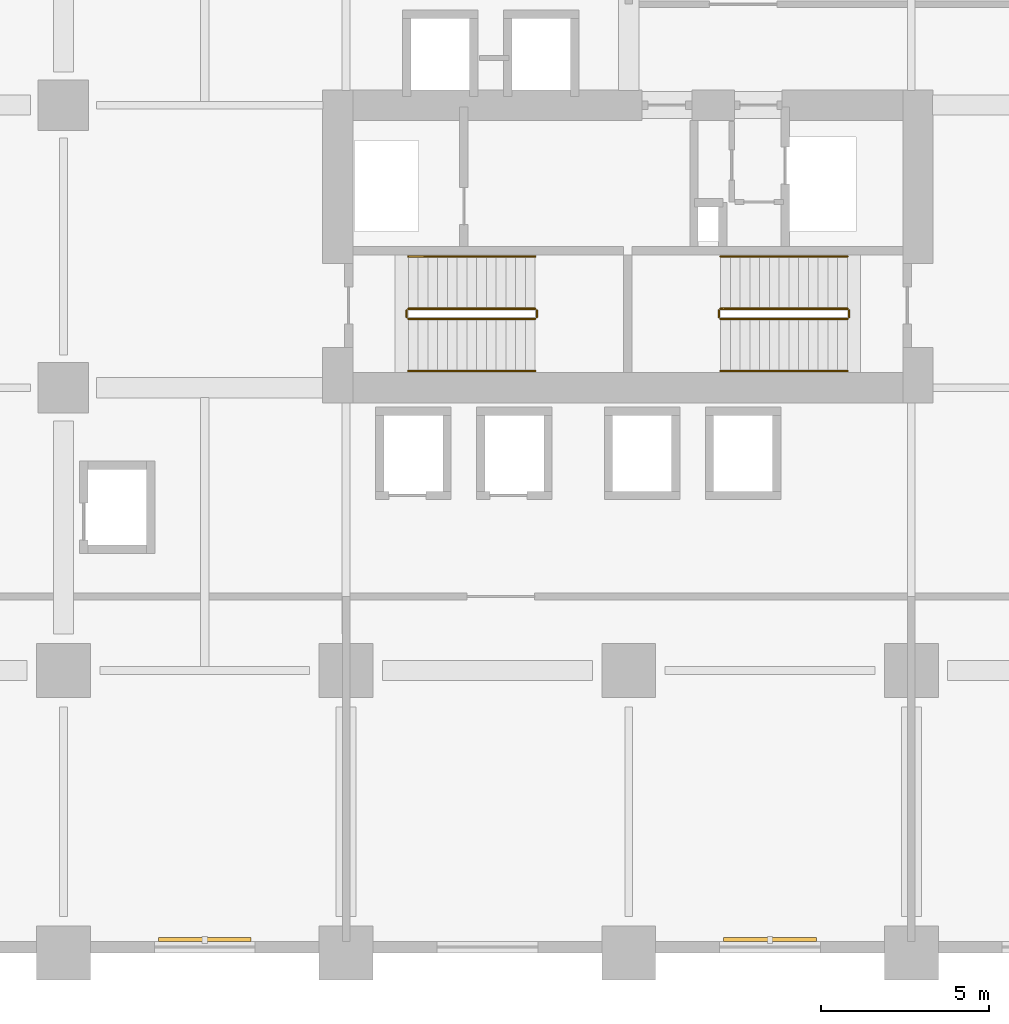
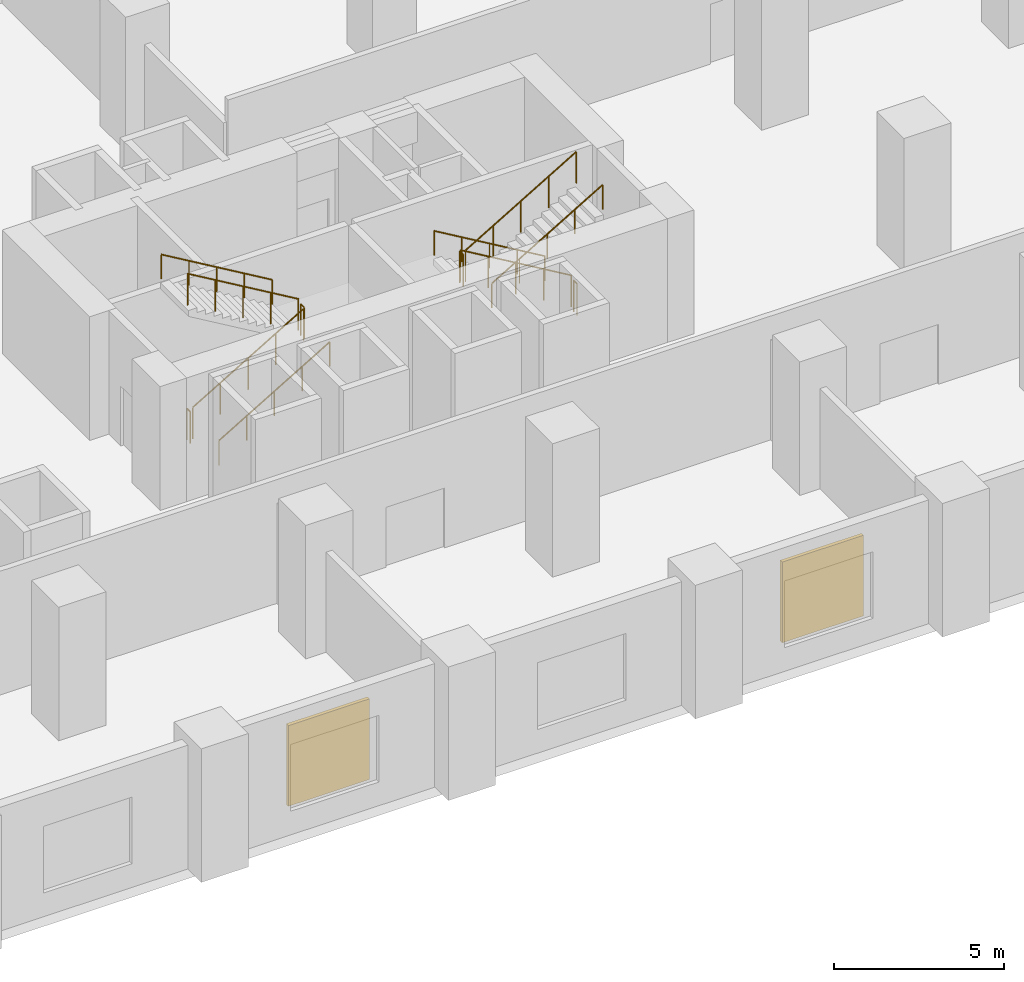
# One storey, part 20 of 22: 12 railings, 2 shading devices.
"""IFC4 building model written with IfcOpenShell, lengths in metres."""

import ifcopenshell
import ifcopenshell.guid

model = None  # the IFC model being written
_history = None  # IfcOwnerHistory: only IFC2X3 demands one
_inside = {}  # id of a spatial element -> (the spatial element, [elements in it])
_under = {}  # id of a project, library or spatial element -> (it, [spatial elements below it])
_declared = {}  # id of a project -> (the project, [libraries it declares])
_typed = {}  # id of a type object -> (the type object, [elements of that type])
_made_of = {}  # id of a material, layer set ... -> (it, [elements and type objects made of it])


def new_model(schema):
    """Start an empty IFC model of exactly this schema.

    Asked for "IFC4X3", IfcOpenShell would pick the latest addendum, in which some entities
    have other attributes; the version numbers below select the first issue.
    IFC2X3 requires an IfcOwnerHistory on every rooted entity: one is made here for all.
    """
    global model, _history
    if schema == "IFC4X3":
        model = ifcopenshell.file(schema_version=(4, 3, 0, 0))
    else:
        model = ifcopenshell.file(schema=schema)
    _inside.clear()
    _under.clear()
    _declared.clear()
    _typed.clear()
    _made_of.clear()
    _history = None
    if model.schema == "IFC2X3":
        org = make("IfcOrganization", Name="unknown")
        user = make(
            "IfcPersonAndOrganization",
            ThePerson=make("IfcPerson", FamilyName="unknown"),
            TheOrganization=org,
        )
        app = make(
            "IfcApplication",
            ApplicationDeveloper=org,
            Version="unknown",
            ApplicationFullName="unknown",
            ApplicationIdentifier="unknown",
        )
        _history = make(
            "IfcOwnerHistory",
            OwningUser=user,
            OwningApplication=app,
            ChangeAction="ADDED",
            CreationDate=0,
        )
    return model


def make(cls, **values):
    """One entity of the class cls with the attributes given. An attribute that is None is left unset."""
    return model.create_entity(
        cls, **{name: value for name, value in values.items() if value is not None}
    )


def rooted(cls, **values):
    """An entity with a GlobalId (a new one), such as an element, a storey or a relation."""
    return make(cls, GlobalId=ifcopenshell.guid.new(), OwnerHistory=_history, **values)


def si_unit(unit_type, name, prefix=None):
    """IfcSIUnit, for example si_unit("LENGTHUNIT", "METRE", prefix="MILLI")."""
    return make("IfcSIUnit", UnitType=unit_type, Prefix=prefix, Name=name)


def assignment(units):
    """IfcUnitAssignment: the units of a project."""
    return None if units is None else make("IfcUnitAssignment", Units=units)


def point(xyz):
    """IfcCartesianPoint."""
    return None if xyz is None else make("IfcCartesianPoint", Coordinates=xyz)


def direction(xyz):
    """IfcDirection."""
    return None if xyz is None else make("IfcDirection", DirectionRatios=xyz)


def frame(location, z_axis=None, x_axis=None):
    """IfcAxis2Placement3D, a coordinate frame: its origin and axes. An axis left out is left unset."""
    return make(
        "IfcAxis2Placement3D",
        Location=point(location),
        Axis=direction(z_axis),
        RefDirection=direction(x_axis),
    )


def frame_2d(location, x_axis=None):
    """IfcAxis2Placement2D, a coordinate frame in the plane: its origin and x axis."""
    return make(
        "IfcAxis2Placement2D", Location=point(location), RefDirection=direction(x_axis)
    )


def origin():
    """The frame at (0, 0, 0) with its axes left unset."""
    return frame((0.0, 0.0, 0.0))


def origin_2d():
    """The frame at (0, 0) in the plane with its x axis left unset."""
    return frame_2d((0.0, 0.0))


def place(relative_to, where):
    """IfcLocalPlacement: puts the frame where relative to a parent placement (None: the world)."""
    return make(
        "IfcLocalPlacement", PlacementRelTo=relative_to, RelativePlacement=where
    )


def context(
    kind, dimensions, precision=None, world=None, true_north=None, identifier=None
):
    """IfcGeometricRepresentationContext, for example the 3D "Model" context."""
    return make(
        "IfcGeometricRepresentationContext",
        ContextIdentifier=identifier,
        ContextType=kind,
        CoordinateSpaceDimension=dimensions,
        Precision=precision,
        WorldCoordinateSystem=world,
        TrueNorth=true_north,
    )


def subcontext(parent, identifier, kind, view, scale=None):
    """IfcGeometricRepresentationSubContext, for example "Body" below "Model"."""
    return make(
        "IfcGeometricRepresentationSubContext",
        ContextIdentifier=identifier,
        ContextType=kind,
        ParentContext=parent,
        TargetScale=scale,
        TargetView=view,
    )


def project(units=None, contexts=None):
    """IfcProject with its units and contexts."""
    return rooted(
        "IfcProject",
        Name="project",
        RepresentationContexts=contexts,
        UnitsInContext=assignment(units),
    )


def spatial(cls, under=None, at=None, **own):
    """A site, building, storey or space (cls), placed at a placement, below another one or the project."""
    s = rooted(cls, ObjectPlacement=at, **own)
    if under is not None:
        _under.setdefault(under.id(), (under, []))[1].append(s)
    return s


def profile(cls, at=None, kind="AREA", **sizes):
    """A parametric profile (cls). Its sizes go by their IFC names, for example OverallWidth=200.0."""
    return make(cls, ProfileType=kind, Position=at, **sizes)


def rectangle(**sizes):
    """IfcRectangleProfileDef."""
    return profile("IfcRectangleProfileDef", **sizes)


def circle(**sizes):
    """IfcCircleProfileDef."""
    return profile("IfcCircleProfileDef", **sizes)


def extrude(swept, where, along, depth):
    """IfcExtrudedAreaSolid: the profile swept, set in the frame where, extruded along a direction by depth."""
    return make(
        "IfcExtrudedAreaSolid",
        SweptArea=swept,
        Position=where,
        ExtrudedDirection=direction(along),
        Depth=depth,
    )


def shape(context_of_items, identifier, shape_type, items):
    """IfcShapeRepresentation: the items that make up one representation, for example the "Body"."""
    return make(
        "IfcShapeRepresentation",
        ContextOfItems=context_of_items,
        RepresentationIdentifier=identifier,
        RepresentationType=shape_type,
        Items=items,
    )


def material(Name=None, Category=None):
    """IfcMaterial."""
    return make("IfcMaterial", Name=Name, Category=Category)


def layer(
    of_material, thickness, ventilated=None, Name=None, Category=None, Priority=None
):
    """IfcMaterialLayer: one layer of a wall or slab, of a material (None: an air gap)."""
    return make(
        "IfcMaterialLayer",
        Material=of_material,
        LayerThickness=thickness,
        IsVentilated=ventilated,
        Name=Name,
        Category=Category,
        Priority=Priority,
    )


def layer_set(layers, Name=None):
    """IfcMaterialLayerSet."""
    return make("IfcMaterialLayerSet", MaterialLayers=layers, LayerSetName=Name)


def made_of(thing, what):
    """Note that an element or type object is made of a material, layer set ...; save() writes the relation."""
    if what is not None:
        _made_of.setdefault(what.id(), (what, []))[1].append(thing)
    return thing


def type_object(cls, material=None, **own):
    """A type object (cls), such as IfcWallType, which elements share."""
    return made_of(rooted(cls, **own), material)


def element(
    cls,
    number,
    at=None,
    inside=None,
    cuts=None,
    type_object=None,
    material=None,
    context=None,
    identifier="Body",
    shape_type=None,
    held_by="IfcProductDefinitionShape",
    body=None,
    shapes=None,
    **own,
):
    """One element of the class cls, such as IfcWall. Its Tag is "e" and its number.

    at: its placement. inside: the storey or other place that contains it. cuts: it is an
    opening in that element (IfcRelVoidsElement). A single representation is given by context,
    identifier, shape_type and body (its items); several are given by shapes. held_by: the class
    of the entity that holds the representations. save() writes the other relations.
    """
    e = rooted(cls, Tag="e%d" % number, ObjectPlacement=at, **own)
    if body is not None:
        shapes = [shape(context, identifier, shape_type, body)]
    if shapes is not None:
        e.Representation = make(held_by, Representations=shapes)
    if inside is not None:
        _inside.setdefault(inside.id(), (inside, []))[1].append(e)
    if cuts is not None:
        rooted(
            "IfcRelVoidsElement", RelatingBuildingElement=cuts, RelatedOpeningElement=e
        )
    if type_object is not None:
        _typed.setdefault(type_object.id(), (type_object, []))[1].append(e)
    return made_of(e, material)


def aggregate(whole, parts):
    """IfcRelAggregates: a whole, such as a stair, and the parts it consists of."""
    return rooted("IfcRelAggregates", RelatingObject=whole, RelatedObjects=parts)


def save(model, path):
    """Write the relations noted so far, then the file.

    IfcRelAggregates (storeys below a building ...), IfcRelContainedInSpatialStructure (elements
    in a storey), IfcRelDefinesByType, IfcRelAssociatesMaterial and IfcRelDeclares: one each for
    every whole, place, type object, material and project.
    """
    for whole, parts in _under.values():
        aggregate(whole, parts)
    for where, things in _inside.values():
        rooted(
            "IfcRelContainedInSpatialStructure",
            RelatedElements=things,
            RelatingStructure=where,
        )
    for kind, things in _typed.values():
        rooted("IfcRelDefinesByType", RelatedObjects=things, RelatingType=kind)
    for what, things in _made_of.values():
        rooted("IfcRelAssociatesMaterial", RelatedObjects=things, RelatingMaterial=what)
    for by, libraries in _declared.values():
        rooted("IfcRelDeclares", RelatingContext=by, RelatedDefinitions=libraries)
    model.write(path)


model = new_model("IFC4")

# Units and contexts
model_context = context("Model", 3, precision=1e-05, world=origin(), true_north=direction((0.0, 1.0)))
body_context = subcontext(model_context, "Body", "Model", "MODEL_VIEW")
ifc_project = project(units=[si_unit("LENGTHUNIT", "METRE"), si_unit("AREAUNIT", "SQUARE_METRE"), si_unit("VOLUMEUNIT", "CUBIC_METRE"), si_unit("PLANEANGLEUNIT", "RADIAN"), si_unit("MASSUNIT", "GRAM", prefix="KILO")], contexts=[model_context])

# Site, building, storey
site_placement = place(None, origin())
site = spatial("IfcSite", under=ifc_project, at=site_placement, CompositionType="ELEMENT")
building_placement = place(site_placement, origin())
building = spatial("IfcBuilding", under=site, at=building_placement, Name="Koriwani Terraces Tower", CompositionType="ELEMENT")
storey_placement = place(building_placement, frame((0.0, 0.0, 6.0)))
storey = spatial("IfcBuildingStorey", under=building, at=storey_placement, Name="L01", CompositionType="ELEMENT", Elevation=6.0)

# Railings
ifc_material_1 = material(Name="Steel ASTM A572 Grade 50", Category="steel")
railing_type_1 = type_object("IfcRailingType", Name="GUARD_STAIR_WELL_1120", PredefinedType="GUARDRAIL", material=ifc_material_1)
railing_1_placement = place(storey_placement, frame((43.85009765625, 18.85009765625, 0.17138671875)))
element("IfcRailing", 1, at=railing_1_placement, inside=storey, type_object=railing_type_1, Name="L01 ST-E1 stair guard 1", PredefinedType="GUARDRAIL", context=body_context, shape_type="SweptSolid", body=[
    extrude(circle(Radius=0.02392578125, at=origin_2d()), frame((0.0, 0.0, 1.1259765625), z_axis=(0.860848830602, 0.0, 0.508860777473), x_axis=(0.0, 1.0, 0.0)), (0.0, 0.0, 1.0), 4.37939453125),
    extrude(circle(Radius=0.02099609375, at=origin_2d()), origin(), (0.0, 0.0, 1.0), 1.101806640625),
    extrude(circle(Radius=0.02099609375, at=origin_2d()), frame((0.9423828125, 0.0, 0.55712890625)), (0.0, 0.0, 1.0), 1.101806640625),
    extrude(circle(Radius=0.02099609375, at=origin_2d()), frame((1.885009765625, 0.0, 1.1142578125)), (0.0, 0.0, 1.0), 1.101806640625),
    extrude(circle(Radius=0.02099609375, at=origin_2d()), frame((2.82763671875, 0.0, 1.67138671875)), (0.0, 0.0, 1.0), 1.101806640625),
    extrude(circle(Radius=0.02099609375, at=origin_2d()), frame((3.77001953125, 0.0, 2.228515625)), (0.0, 0.0, 1.0), 1.101806640625),
])
railing_2_placement = place(storey_placement, frame((47.669921875, 18.89990234375, 2.39990234375)))
element("IfcRailing", 2, at=railing_2_placement, inside=storey, type_object=railing_type_1, Name="L01 ST-E1 stair guard 2", PredefinedType="GUARDRAIL", context=body_context, shape_type="SweptSolid", body=[
    extrude(circle(Radius=0.02392578125, at=origin_2d()), frame((0.0, 0.0, 1.1259765625), z_axis=(0.0, 1.0, 0.0), x_axis=(-1.0, 0.0, 0.0)), (0.0, 0.0, 1.0), 0.2001953125),
    extrude(circle(Radius=0.02099609375, at=origin_2d()), origin(), (0.0, 0.0, 1.0), 1.101806640625),
    extrude(circle(Radius=0.02099609375, at=origin_2d()), frame((0.0, 0.2001953125, 0.0)), (0.0, 0.0, 1.0), 1.101806640625),
])
railing_3_placement = place(storey_placement, frame((47.6201171875, 19.14990234375, 2.571533203125)))
element("IfcRailing", 3, at=railing_3_placement, inside=storey, type_object=railing_type_1, Name="L01 ST-E1 stair guard 3", PredefinedType="GUARDRAIL", context=body_context, shape_type="SweptSolid", body=[
    extrude(circle(Radius=0.02392578125, at=origin_2d()), frame((0.0, 0.0, 1.1259765625), z_axis=(-0.860848830602, 0.0, 0.508860777473), x_axis=(0.0, -1.0, 0.0)), (0.0, 0.0, 1.0), 4.37939453125),
    extrude(circle(Radius=0.02099609375, at=origin_2d()), origin(), (0.0, 0.0, 1.0), 1.101806640625),
    extrude(circle(Radius=0.02099609375, at=origin_2d()), frame((-0.9423828125, 0.0, 0.55712890625)), (0.0, 0.0, 1.0), 1.101806640625),
    extrude(circle(Radius=0.02099609375, at=origin_2d()), frame((-1.885009765625, 0.0, 1.1142578125)), (0.0, 0.0, 1.0), 1.101806640625),
    extrude(circle(Radius=0.02099609375, at=origin_2d()), frame((-2.82763671875, 0.0, 1.67138671875)), (0.0, 0.0, 1.0), 1.101806640625),
    extrude(circle(Radius=0.02099609375, at=origin_2d()), frame((-3.77001953125, 0.0, 2.228515625)), (0.0, 0.0, 1.0), 1.101806640625),
])
railing_4_placement = place(storey_placement, frame((43.800048828125, 18.89990234375, 0.0)))
element("IfcRailing", 4, at=railing_4_placement, inside=storey, type_object=railing_type_1, Name="L01 ST-E1 stair guard 4", PredefinedType="GUARDRAIL", context=body_context, shape_type="SweptSolid", body=[
    extrude(circle(Radius=0.02392578125, at=origin_2d()), frame((0.0, 0.0, 1.1259765625), z_axis=(0.0, 1.0, 0.0), x_axis=(-1.0, 0.0, 0.0)), (0.0, 0.0, 1.0), 0.2001953125),
    extrude(circle(Radius=0.02099609375, at=origin_2d()), origin(), (0.0, 0.0, 1.0), 1.101806640625),
    extrude(circle(Radius=0.02099609375, at=origin_2d()), frame((0.0, 0.2001953125, 0.0)), (0.0, 0.0, 1.0), 1.101806640625),
])
railing_5_placement = place(storey_placement, frame((56.89990234375, 19.14990234375, 0.17138671875)))
element("IfcRailing", 5, at=railing_5_placement, inside=storey, type_object=railing_type_1, Name="L01 ST-E2 stair guard 1", PredefinedType="GUARDRAIL", context=body_context, shape_type="SweptSolid", body=[
    extrude(circle(Radius=0.02392578125, at=origin_2d()), frame((0.0, 0.0, 1.1259765625), z_axis=(-0.860848830602, 0.0, 0.508860777473), x_axis=(0.0, -1.0, 0.0)), (0.0, 0.0, 1.0), 4.37939453125),
    extrude(circle(Radius=0.02099609375, at=origin_2d()), origin(), (0.0, 0.0, 1.0), 1.101806640625),
    extrude(circle(Radius=0.02099609375, at=origin_2d()), frame((-0.9423828125, 0.0, 0.55712890625)), (0.0, 0.0, 1.0), 1.101806640625),
    extrude(circle(Radius=0.02099609375, at=origin_2d()), frame((-1.885009765625, 0.0, 1.1142578125)), (0.0, 0.0, 1.0), 1.101806640625),
    extrude(circle(Radius=0.02099609375, at=origin_2d()), frame((-2.82763671875, 0.0, 1.67138671875)), (0.0, 0.0, 1.0), 1.101806640625),
    extrude(circle(Radius=0.02099609375, at=origin_2d()), frame((-3.77001953125, 0.0, 2.228515625)), (0.0, 0.0, 1.0), 1.101806640625),
])
railing_6_placement = place(storey_placement, frame((53.080078125, 19.10009765625, 2.39990234375)))
element("IfcRailing", 6, at=railing_6_placement, inside=storey, type_object=railing_type_1, Name="L01 ST-E2 stair guard 2", PredefinedType="GUARDRAIL", context=body_context, shape_type="SweptSolid", body=[
    extrude(circle(Radius=0.02392578125, at=origin_2d()), frame((0.0, 0.0, 1.1259765625), z_axis=(0.0, -1.0, 0.0), x_axis=(1.0, 0.0, 0.0)), (0.0, 0.0, 1.0), 0.2001953125),
    extrude(circle(Radius=0.02099609375, at=origin_2d()), origin(), (0.0, 0.0, 1.0), 1.101806640625),
    extrude(circle(Radius=0.02099609375, at=origin_2d()), frame((0.0, -0.2001953125, 0.0)), (0.0, 0.0, 1.0), 1.101806640625),
])
railing_7_placement = place(storey_placement, frame((53.1298828125, 18.85009765625, 2.571533203125)))
element("IfcRailing", 7, at=railing_7_placement, inside=storey, type_object=railing_type_1, Name="L01 ST-E2 stair guard 3", PredefinedType="GUARDRAIL", context=body_context, shape_type="SweptSolid", body=[
    extrude(circle(Radius=0.02392578125, at=origin_2d()), frame((0.0, 0.0, 1.1259765625), z_axis=(0.860848830602, 0.0, 0.508860777473), x_axis=(0.0, 1.0, 0.0)), (0.0, 0.0, 1.0), 4.37939453125),
    extrude(circle(Radius=0.02099609375, at=origin_2d()), origin(), (0.0, 0.0, 1.0), 1.101806640625),
    extrude(circle(Radius=0.02099609375, at=origin_2d()), frame((0.9423828125, 0.0, 0.55712890625)), (0.0, 0.0, 1.0), 1.101806640625),
    extrude(circle(Radius=0.02099609375, at=origin_2d()), frame((1.885009765625, 0.0, 1.1142578125)), (0.0, 0.0, 1.0), 1.101806640625),
    extrude(circle(Radius=0.02099609375, at=origin_2d()), frame((2.82763671875, 0.0, 1.67138671875)), (0.0, 0.0, 1.0), 1.101806640625),
    extrude(circle(Radius=0.02099609375, at=origin_2d()), frame((3.77001953125, 0.0, 2.228515625)), (0.0, 0.0, 1.0), 1.101806640625),
])
railing_8_placement = place(storey_placement, frame((56.949951171875, 19.10009765625, 0.0)))
element("IfcRailing", 8, at=railing_8_placement, inside=storey, type_object=railing_type_1, Name="L01 ST-E2 stair guard 4", PredefinedType="GUARDRAIL", context=body_context, shape_type="SweptSolid", body=[
    extrude(circle(Radius=0.02392578125, at=origin_2d()), frame((0.0, 0.0, 1.1259765625), z_axis=(0.0, -1.0, 0.0), x_axis=(1.0, 0.0, 0.0)), (0.0, 0.0, 1.0), 0.2001953125),
    extrude(circle(Radius=0.02099609375, at=origin_2d()), origin(), (0.0, 0.0, 1.0), 1.101806640625),
    extrude(circle(Radius=0.02099609375, at=origin_2d()), frame((0.0, -0.2001953125, 0.0)), (0.0, 0.0, 1.0), 1.101806640625),
])
railing_type_2 = type_object("IfcRailingType", Name="HANDRAIL_STAIR_920", PredefinedType="HANDRAIL", material=ifc_material_1)
railing_9_placement = place(storey_placement, frame((43.85009765625, 17.300048828125, 0.17138671875)))
element("IfcRailing", 9, at=railing_9_placement, inside=storey, type_object=railing_type_2, Name="L01 ST-E1 stair handrail 1", PredefinedType="HANDRAIL", context=body_context, shape_type="SweptSolid", body=[
    extrude(circle(Radius=0.02392578125, at=origin_2d()), frame((0.0, 0.0, 0.8759765625), z_axis=(0.860848830602, 0.0, 0.508860777473), x_axis=(0.0, 1.0, 0.0)), (0.0, 0.0, 1.0), 4.37939453125),
    extrude(circle(Radius=0.02099609375, at=origin_2d()), origin(), (0.0, 0.0, 1.0), 0.851806640625),
    extrude(circle(Radius=0.02099609375, at=origin_2d()), frame((0.9423828125, 0.0, 0.55712890625)), (0.0, 0.0, 1.0), 0.851806640625),
    extrude(circle(Radius=0.02099609375, at=origin_2d()), frame((1.885009765625, 0.0, 1.1142578125)), (0.0, 0.0, 1.0), 0.851806640625),
    extrude(circle(Radius=0.02099609375, at=origin_2d()), frame((2.82763671875, 0.0, 1.67138671875)), (0.0, 0.0, 1.0), 0.851806640625),
    extrude(circle(Radius=0.02099609375, at=origin_2d()), frame((3.77001953125, 0.0, 2.228515625)), (0.0, 0.0, 1.0), 0.851806640625),
])
for number, where, name in (
    (10, (47.6201171875, 20.699951171875, 2.571533203125), "L01 ST-E1 stair handrail 2"),
    (11, (56.89990234375, 20.699951171875, 0.17138671875), "L01 ST-E2 stair handrail 1"),
):
    element("IfcRailing", number, at=place(storey_placement, frame(where)), inside=storey, type_object=railing_type_2, Name=name, PredefinedType="HANDRAIL", context=body_context, shape_type="SweptSolid", body=[
        extrude(circle(Radius=0.02392578125, at=origin_2d()), frame((0.0, 0.0, 0.8759765625), z_axis=(-0.860848830602, 0.0, 0.508860777473), x_axis=(0.0, -1.0, 0.0)), (0.0, 0.0, 1.0), 4.37939453125),
        extrude(circle(Radius=0.02099609375, at=origin_2d()), origin(), (0.0, 0.0, 1.0), 0.851806640625),
        extrude(circle(Radius=0.02099609375, at=origin_2d()), frame((-0.9423828125, 0.0, 0.55712890625)), (0.0, 0.0, 1.0), 0.851806640625),
        extrude(circle(Radius=0.02099609375, at=origin_2d()), frame((-1.885009765625, 0.0, 1.1142578125)), (0.0, 0.0, 1.0), 0.851806640625),
        extrude(circle(Radius=0.02099609375, at=origin_2d()), frame((-2.82763671875, 0.0, 1.67138671875)), (0.0, 0.0, 1.0), 0.851806640625),
        extrude(circle(Radius=0.02099609375, at=origin_2d()), frame((-3.77001953125, 0.0, 2.228515625)), (0.0, 0.0, 1.0), 0.851806640625),
    ])
railing_10_placement = place(storey_placement, frame((53.1298828125, 17.300048828125, 2.571533203125)))
element("IfcRailing", 12, at=railing_10_placement, inside=storey, type_object=railing_type_2, Name="L01 ST-E2 stair handrail 2", PredefinedType="HANDRAIL", context=body_context, shape_type="SweptSolid", body=[
    extrude(circle(Radius=0.02392578125, at=origin_2d()), frame((0.0, 0.0, 0.8759765625), z_axis=(0.860848830602, 0.0, 0.508860777473), x_axis=(0.0, 1.0, 0.0)), (0.0, 0.0, 1.0), 4.37939453125),
    extrude(circle(Radius=0.02099609375, at=origin_2d()), origin(), (0.0, 0.0, 1.0), 0.851806640625),
    extrude(circle(Radius=0.02099609375, at=origin_2d()), frame((0.9423828125, 0.0, 0.55712890625)), (0.0, 0.0, 1.0), 0.851806640625),
    extrude(circle(Radius=0.02099609375, at=origin_2d()), frame((1.885009765625, 0.0, 1.1142578125)), (0.0, 0.0, 1.0), 0.851806640625),
    extrude(circle(Radius=0.02099609375, at=origin_2d()), frame((2.82763671875, 0.0, 1.67138671875)), (0.0, 0.0, 1.0), 0.851806640625),
    extrude(circle(Radius=0.02099609375, at=origin_2d()), frame((3.77001953125, 0.0, 2.228515625)), (0.0, 0.0, 1.0), 0.851806640625),
])

# Shading devices
ifc_material_2 = material(Name="Extruded Terracotta Clay", Category="masonry")
ifc_layer = layer(ifc_material_2, 0.1201171875, Name="Extruded Terracotta Clay")
ifc_layer_set = layer_set([ifc_layer], Name="Extruded Terracotta Clay")
shading_device_type = type_object("IfcShadingDeviceType", Name="TERRACOTTA_BAGUETTE_SCREEN_2800", PredefinedType="USERDEFINED", material=ifc_layer_set)
for number, where, z_axis, x_axis, name in (
    (13, (37.800048828125, 0.405029296875, 0.775146484375), (0.0, 0.0, 1.0), (-1.0, 0.0, 0.0), "L01 Extruded Terracotta Baguette Screen (S-12)"),
    (14, (54.60009765625, 0.405029296875, 0.775146484375), (0.0, 0.0, 1.0), (-1.0, 0.0, 0.0), "L01 Extruded Terracotta Baguette Screen (S-18)"),
):
    element("IfcShadingDevice", number, at=place(storey_placement, frame(where, z_axis=z_axis, x_axis=x_axis)), inside=storey, type_object=shading_device_type, Name=name, ObjectType="BAGUETTE", PredefinedType="USERDEFINED", context=body_context, shape_type="SweptSolid", body=[
        extrude(rectangle(XDim=2.760009765625, YDim=0.1201171875, at=origin_2d()), origin(), (0.0, 0.0, 1.0), 2.89990234375),
    ])

save(model, "model.ifc")
